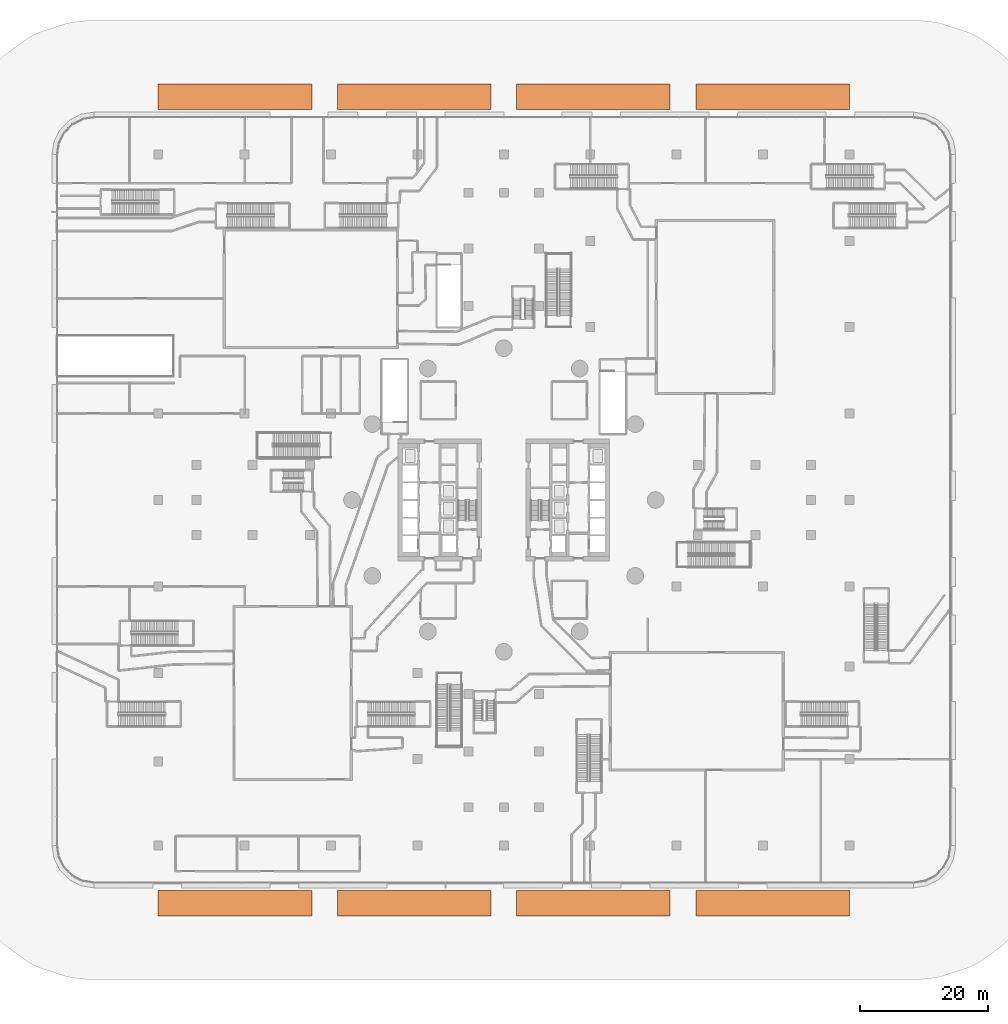
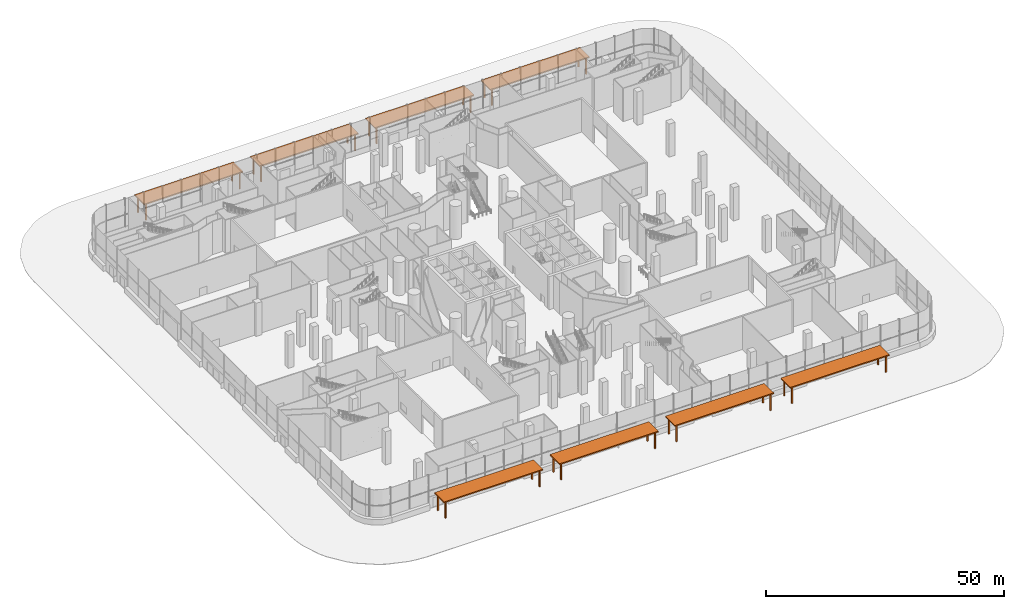
# One storey, part 54 of 54: 8 proxies.
"""IFC4 building model written with IfcOpenShell, lengths in metres."""

import ifcopenshell
import ifcopenshell.guid

model = None  # the IFC model being written
_history = None  # IfcOwnerHistory: only IFC2X3 demands one
_inside = {}  # id of a spatial element -> (the spatial element, [elements in it])
_under = {}  # id of a project, library or spatial element -> (it, [spatial elements below it])
_declared = {}  # id of a project -> (the project, [libraries it declares])
_typed = {}  # id of a type object -> (the type object, [elements of that type])
_made_of = {}  # id of a material, layer set ... -> (it, [elements and type objects made of it])


def new_model(schema):
    """Start an empty IFC model of exactly this schema.

    Asked for "IFC4X3", IfcOpenShell would pick the latest addendum, in which some entities
    have other attributes; the version numbers below select the first issue.
    IFC2X3 requires an IfcOwnerHistory on every rooted entity: one is made here for all.
    """
    global model, _history
    if schema == "IFC4X3":
        model = ifcopenshell.file(schema_version=(4, 3, 0, 0))
    else:
        model = ifcopenshell.file(schema=schema)
    _inside.clear()
    _under.clear()
    _declared.clear()
    _typed.clear()
    _made_of.clear()
    _history = None
    if model.schema == "IFC2X3":
        org = make("IfcOrganization", Name="unknown")
        user = make(
            "IfcPersonAndOrganization",
            ThePerson=make("IfcPerson", FamilyName="unknown"),
            TheOrganization=org,
        )
        app = make(
            "IfcApplication",
            ApplicationDeveloper=org,
            Version="unknown",
            ApplicationFullName="unknown",
            ApplicationIdentifier="unknown",
        )
        _history = make(
            "IfcOwnerHistory",
            OwningUser=user,
            OwningApplication=app,
            ChangeAction="ADDED",
            CreationDate=0,
        )
    return model


def make(cls, **values):
    """One entity of the class cls with the attributes given. An attribute that is None is left unset."""
    return model.create_entity(
        cls, **{name: value for name, value in values.items() if value is not None}
    )


def rooted(cls, **values):
    """An entity with a GlobalId (a new one), such as an element, a storey or a relation."""
    return make(cls, GlobalId=ifcopenshell.guid.new(), OwnerHistory=_history, **values)


def si_unit(unit_type, name, prefix=None):
    """IfcSIUnit, for example si_unit("LENGTHUNIT", "METRE", prefix="MILLI")."""
    return make("IfcSIUnit", UnitType=unit_type, Prefix=prefix, Name=name)


def assignment(units):
    """IfcUnitAssignment: the units of a project."""
    return None if units is None else make("IfcUnitAssignment", Units=units)


def point(xyz):
    """IfcCartesianPoint."""
    return None if xyz is None else make("IfcCartesianPoint", Coordinates=xyz)


def direction(xyz):
    """IfcDirection."""
    return None if xyz is None else make("IfcDirection", DirectionRatios=xyz)


def frame(location, z_axis=None, x_axis=None):
    """IfcAxis2Placement3D, a coordinate frame: its origin and axes. An axis left out is left unset."""
    return make(
        "IfcAxis2Placement3D",
        Location=point(location),
        Axis=direction(z_axis),
        RefDirection=direction(x_axis),
    )


def frame_2d(location, x_axis=None):
    """IfcAxis2Placement2D, a coordinate frame in the plane: its origin and x axis."""
    return make(
        "IfcAxis2Placement2D", Location=point(location), RefDirection=direction(x_axis)
    )


def origin():
    """The frame at (0, 0, 0) with its axes left unset."""
    return frame((0.0, 0.0, 0.0))


def origin_2d():
    """The frame at (0, 0) in the plane with its x axis left unset."""
    return frame_2d((0.0, 0.0))


def place(relative_to, where):
    """IfcLocalPlacement: puts the frame where relative to a parent placement (None: the world)."""
    return make(
        "IfcLocalPlacement", PlacementRelTo=relative_to, RelativePlacement=where
    )


def context(
    kind, dimensions, precision=None, world=None, true_north=None, identifier=None
):
    """IfcGeometricRepresentationContext, for example the 3D "Model" context."""
    return make(
        "IfcGeometricRepresentationContext",
        ContextIdentifier=identifier,
        ContextType=kind,
        CoordinateSpaceDimension=dimensions,
        Precision=precision,
        WorldCoordinateSystem=world,
        TrueNorth=true_north,
    )


def subcontext(parent, identifier, kind, view, scale=None):
    """IfcGeometricRepresentationSubContext, for example "Body" below "Model"."""
    return make(
        "IfcGeometricRepresentationSubContext",
        ContextIdentifier=identifier,
        ContextType=kind,
        ParentContext=parent,
        TargetScale=scale,
        TargetView=view,
    )


def project(units=None, contexts=None):
    """IfcProject with its units and contexts."""
    return rooted(
        "IfcProject",
        Name="project",
        RepresentationContexts=contexts,
        UnitsInContext=assignment(units),
    )


def spatial(cls, under=None, at=None, **own):
    """A site, building, storey or space (cls), placed at a placement, below another one or the project."""
    s = rooted(cls, ObjectPlacement=at, **own)
    if under is not None:
        _under.setdefault(under.id(), (under, []))[1].append(s)
    return s


def profile(cls, at=None, kind="AREA", **sizes):
    """A parametric profile (cls). Its sizes go by their IFC names, for example OverallWidth=200.0."""
    return make(cls, ProfileType=kind, Position=at, **sizes)


def rectangle(**sizes):
    """IfcRectangleProfileDef."""
    return profile("IfcRectangleProfileDef", **sizes)


def extrude(swept, where, along, depth):
    """IfcExtrudedAreaSolid: the profile swept, set in the frame where, extruded along a direction by depth."""
    return make(
        "IfcExtrudedAreaSolid",
        SweptArea=swept,
        Position=where,
        ExtrudedDirection=direction(along),
        Depth=depth,
    )


def shape(context_of_items, identifier, shape_type, items):
    """IfcShapeRepresentation: the items that make up one representation, for example the "Body"."""
    return make(
        "IfcShapeRepresentation",
        ContextOfItems=context_of_items,
        RepresentationIdentifier=identifier,
        RepresentationType=shape_type,
        Items=items,
    )


def material(Name=None, Category=None):
    """IfcMaterial."""
    return make("IfcMaterial", Name=Name, Category=Category)


def layer(
    of_material, thickness, ventilated=None, Name=None, Category=None, Priority=None
):
    """IfcMaterialLayer: one layer of a wall or slab, of a material (None: an air gap)."""
    return make(
        "IfcMaterialLayer",
        Material=of_material,
        LayerThickness=thickness,
        IsVentilated=ventilated,
        Name=Name,
        Category=Category,
        Priority=Priority,
    )


def layer_set(layers, Name=None):
    """IfcMaterialLayerSet."""
    return make("IfcMaterialLayerSet", MaterialLayers=layers, LayerSetName=Name)


def made_of(thing, what):
    """Note that an element or type object is made of a material, layer set ...; save() writes the relation."""
    if what is not None:
        _made_of.setdefault(what.id(), (what, []))[1].append(thing)
    return thing


def type_object(cls, material=None, **own):
    """A type object (cls), such as IfcWallType, which elements share."""
    return made_of(rooted(cls, **own), material)


def element(
    cls,
    number,
    at=None,
    inside=None,
    cuts=None,
    type_object=None,
    material=None,
    context=None,
    identifier="Body",
    shape_type=None,
    held_by="IfcProductDefinitionShape",
    body=None,
    shapes=None,
    **own,
):
    """One element of the class cls, such as IfcWall. Its Tag is "e" and its number.

    at: its placement. inside: the storey or other place that contains it. cuts: it is an
    opening in that element (IfcRelVoidsElement). A single representation is given by context,
    identifier, shape_type and body (its items); several are given by shapes. held_by: the class
    of the entity that holds the representations. save() writes the other relations.
    """
    e = rooted(cls, Tag="e%d" % number, ObjectPlacement=at, **own)
    if body is not None:
        shapes = [shape(context, identifier, shape_type, body)]
    if shapes is not None:
        e.Representation = make(held_by, Representations=shapes)
    if inside is not None:
        _inside.setdefault(inside.id(), (inside, []))[1].append(e)
    if cuts is not None:
        rooted(
            "IfcRelVoidsElement", RelatingBuildingElement=cuts, RelatedOpeningElement=e
        )
    if type_object is not None:
        _typed.setdefault(type_object.id(), (type_object, []))[1].append(e)
    return made_of(e, material)


def aggregate(whole, parts):
    """IfcRelAggregates: a whole, such as a stair, and the parts it consists of."""
    return rooted("IfcRelAggregates", RelatingObject=whole, RelatedObjects=parts)


def save(model, path):
    """Write the relations noted so far, then the file.

    IfcRelAggregates (storeys below a building ...), IfcRelContainedInSpatialStructure (elements
    in a storey), IfcRelDefinesByType, IfcRelAssociatesMaterial and IfcRelDeclares: one each for
    every whole, place, type object, material and project.
    """
    for whole, parts in _under.values():
        aggregate(whole, parts)
    for where, things in _inside.values():
        rooted(
            "IfcRelContainedInSpatialStructure",
            RelatedElements=things,
            RelatingStructure=where,
        )
    for kind, things in _typed.values():
        rooted("IfcRelDefinesByType", RelatedObjects=things, RelatingType=kind)
    for what, things in _made_of.values():
        rooted("IfcRelAssociatesMaterial", RelatedObjects=things, RelatingMaterial=what)
    for by, libraries in _declared.values():
        rooted("IfcRelDeclares", RelatingContext=by, RelatedDefinitions=libraries)
    model.write(path)


model = new_model("IFC4")

# Units and contexts
model_context = context("Model", 3, precision=1e-05, world=origin(), true_north=direction((0.0, 1.0)))
body_context = subcontext(model_context, "Body", "Model", "MODEL_VIEW")
ifc_project = project(units=[si_unit("LENGTHUNIT", "METRE"), si_unit("AREAUNIT", "SQUARE_METRE"), si_unit("VOLUMEUNIT", "CUBIC_METRE"), si_unit("PLANEANGLEUNIT", "RADIAN"), si_unit("MASSUNIT", "GRAM", prefix="KILO")], contexts=[model_context])

# Site, building, storey
site_placement = place(None, origin())
site = spatial("IfcSite", under=ifc_project, at=site_placement, CompositionType="ELEMENT")
building_placement = place(site_placement, origin())
building = spatial("IfcBuilding", under=site, at=building_placement, Name="Tamarind Cross Interchange Tower", CompositionType="ELEMENT")
storey_placement = place(building_placement, origin())
storey = spatial("IfcBuildingStorey", under=building, at=storey_placement, Name="L00", CompositionType="ELEMENT", Elevation=0.0)

# Proxies
ifc_material = material(Name="Steel Q355B and laminated glass", Category="steel")
ifc_layer = layer(ifc_material, 0.300048828125)
ifc_layer_set = layer_set([ifc_layer], Name="Steel Q355B and laminated glass")
building_element_proxy_type = type_object("IfcBuildingElementProxyType", Name="Bus bay canopy", PredefinedType="USERDEFINED", material=ifc_layer_set)
proxy_1_placement = place(storey_placement, origin())
element("IfcBuildingElementProxy", 1, at=proxy_1_placement, inside=storey, type_object=building_element_proxy_type, Name="CNP-L00-00", ObjectType="CANOPY", PredefinedType="USERDEFINED", context=body_context, shape_type="SweptSolid", body=[
    extrude(rectangle(XDim=24.0, YDim=4.0, at=origin_2d()), frame((-42.0, 63.0, 4.2001953125), z_axis=(0.0, 0.0, 1.0), x_axis=(1.0, 0.0, 0.0)), (0.0, 0.0, 1.0), 0.300048828125),
    extrude(rectangle(XDim=0.300048828125, YDim=0.300048828125, at=origin_2d()), frame((-53.39990234375, 61.39990234375, 0.0), z_axis=(0.0, 0.0, 1.0), x_axis=(1.0, 0.0, 0.0)), (0.0, 0.0, 1.0), 4.199951171875),
    extrude(rectangle(XDim=0.300048828125, YDim=0.300048828125, at=origin_2d()), frame((-53.39990234375, 64.60009765625, 0.0), z_axis=(0.0, 0.0, 1.0), x_axis=(1.0, 0.0, 0.0)), (0.0, 0.0, 1.0), 4.199951171875),
    extrude(rectangle(XDim=0.300048828125, YDim=0.300048828125, at=origin_2d()), frame((-30.60009765625, 61.39990234375, 0.0), z_axis=(0.0, 0.0, 1.0), x_axis=(1.0, 0.0, 0.0)), (0.0, 0.0, 1.0), 4.199951171875),
    extrude(rectangle(XDim=0.300048828125, YDim=0.300048828125, at=origin_2d()), frame((-30.60009765625, 64.60009765625, 0.0), z_axis=(0.0, 0.0, 1.0), x_axis=(1.0, 0.0, 0.0)), (0.0, 0.0, 1.0), 4.199951171875),
])
proxy_2_placement = place(storey_placement, origin())
element("IfcBuildingElementProxy", 2, at=proxy_2_placement, inside=storey, type_object=building_element_proxy_type, Name="CNP-L00-01", ObjectType="CANOPY", PredefinedType="USERDEFINED", context=body_context, shape_type="SweptSolid", body=[
    extrude(rectangle(XDim=24.0, YDim=4.0, at=origin_2d()), frame((-14.0, 63.0, 4.2001953125), z_axis=(0.0, 0.0, 1.0), x_axis=(1.0, 0.0, 0.0)), (0.0, 0.0, 1.0), 0.300048828125),
    extrude(rectangle(XDim=0.300048828125, YDim=0.300048828125, at=origin_2d()), frame((-25.39990234375, 61.39990234375, 0.0), z_axis=(0.0, 0.0, 1.0), x_axis=(1.0, 0.0, 0.0)), (0.0, 0.0, 1.0), 4.199951171875),
    extrude(rectangle(XDim=0.300048828125, YDim=0.300048828125, at=origin_2d()), frame((-25.39990234375, 64.60009765625, 0.0), z_axis=(0.0, 0.0, 1.0), x_axis=(1.0, 0.0, 0.0)), (0.0, 0.0, 1.0), 4.199951171875),
    extrude(rectangle(XDim=0.300048828125, YDim=0.300048828125, at=origin_2d()), frame((-2.60009765625, 61.39990234375, 0.0), z_axis=(0.0, 0.0, 1.0), x_axis=(1.0, 0.0, 0.0)), (0.0, 0.0, 1.0), 4.199951171875),
    extrude(rectangle(XDim=0.300048828125, YDim=0.300048828125, at=origin_2d()), frame((-2.60009765625, 64.60009765625, 0.0), z_axis=(0.0, 0.0, 1.0), x_axis=(1.0, 0.0, 0.0)), (0.0, 0.0, 1.0), 4.199951171875),
])
proxy_3_placement = place(storey_placement, origin())
element("IfcBuildingElementProxy", 3, at=proxy_3_placement, inside=storey, type_object=building_element_proxy_type, Name="CNP-L00-02", ObjectType="CANOPY", PredefinedType="USERDEFINED", context=body_context, shape_type="SweptSolid", body=[
    extrude(rectangle(XDim=24.0, YDim=4.0, at=origin_2d()), frame((14.0, 63.0, 4.2001953125), z_axis=(0.0, 0.0, 1.0), x_axis=(1.0, 0.0, 0.0)), (0.0, 0.0, 1.0), 0.300048828125),
    extrude(rectangle(XDim=0.300048828125, YDim=0.300048828125, at=origin_2d()), frame((2.60009765625, 61.39990234375, 0.0), z_axis=(0.0, 0.0, 1.0), x_axis=(1.0, 0.0, 0.0)), (0.0, 0.0, 1.0), 4.199951171875),
    extrude(rectangle(XDim=0.300048828125, YDim=0.300048828125, at=origin_2d()), frame((2.60009765625, 64.60009765625, 0.0), z_axis=(0.0, 0.0, 1.0), x_axis=(1.0, 0.0, 0.0)), (0.0, 0.0, 1.0), 4.199951171875),
    extrude(rectangle(XDim=0.300048828125, YDim=0.300048828125, at=origin_2d()), frame((25.39990234375, 61.39990234375, 0.0), z_axis=(0.0, 0.0, 1.0), x_axis=(1.0, 0.0, 0.0)), (0.0, 0.0, 1.0), 4.199951171875),
    extrude(rectangle(XDim=0.300048828125, YDim=0.300048828125, at=origin_2d()), frame((25.39990234375, 64.60009765625, 0.0), z_axis=(0.0, 0.0, 1.0), x_axis=(1.0, 0.0, 0.0)), (0.0, 0.0, 1.0), 4.199951171875),
])
proxy_4_placement = place(storey_placement, origin())
element("IfcBuildingElementProxy", 4, at=proxy_4_placement, inside=storey, type_object=building_element_proxy_type, Name="CNP-L00-03", ObjectType="CANOPY", PredefinedType="USERDEFINED", context=body_context, shape_type="SweptSolid", body=[
    extrude(rectangle(XDim=24.0, YDim=4.0, at=origin_2d()), frame((42.0, 63.0, 4.2001953125), z_axis=(0.0, 0.0, 1.0), x_axis=(1.0, 0.0, 0.0)), (0.0, 0.0, 1.0), 0.300048828125),
    extrude(rectangle(XDim=0.300048828125, YDim=0.300048828125, at=origin_2d()), frame((30.60009765625, 61.39990234375, 0.0), z_axis=(0.0, 0.0, 1.0), x_axis=(1.0, 0.0, 0.0)), (0.0, 0.0, 1.0), 4.199951171875),
    extrude(rectangle(XDim=0.300048828125, YDim=0.300048828125, at=origin_2d()), frame((30.60009765625, 64.60009765625, 0.0), z_axis=(0.0, 0.0, 1.0), x_axis=(1.0, 0.0, 0.0)), (0.0, 0.0, 1.0), 4.199951171875),
    extrude(rectangle(XDim=0.300048828125, YDim=0.300048828125, at=origin_2d()), frame((53.39990234375, 61.39990234375, 0.0), z_axis=(0.0, 0.0, 1.0), x_axis=(1.0, 0.0, 0.0)), (0.0, 0.0, 1.0), 4.199951171875),
    extrude(rectangle(XDim=0.300048828125, YDim=0.300048828125, at=origin_2d()), frame((53.39990234375, 64.60009765625, 0.0), z_axis=(0.0, 0.0, 1.0), x_axis=(1.0, 0.0, 0.0)), (0.0, 0.0, 1.0), 4.199951171875),
])
proxy_5_placement = place(storey_placement, origin())
element("IfcBuildingElementProxy", 5, at=proxy_5_placement, inside=storey, type_object=building_element_proxy_type, Name="CNP-L00-04", ObjectType="CANOPY", PredefinedType="USERDEFINED", context=body_context, shape_type="SweptSolid", body=[
    extrude(rectangle(XDim=24.0, YDim=4.0, at=origin_2d()), frame((-42.0, -63.0, 4.2001953125), z_axis=(0.0, 0.0, 1.0), x_axis=(1.0, 0.0, 0.0)), (0.0, 0.0, 1.0), 0.300048828125),
    extrude(rectangle(XDim=0.300048828125, YDim=0.300048828125, at=origin_2d()), frame((-53.39990234375, -64.60009765625, 0.0), z_axis=(0.0, 0.0, 1.0), x_axis=(1.0, 0.0, 0.0)), (0.0, 0.0, 1.0), 4.199951171875),
    extrude(rectangle(XDim=0.300048828125, YDim=0.300048828125, at=origin_2d()), frame((-53.39990234375, -61.39990234375, 0.0), z_axis=(0.0, 0.0, 1.0), x_axis=(1.0, 0.0, 0.0)), (0.0, 0.0, 1.0), 4.199951171875),
    extrude(rectangle(XDim=0.300048828125, YDim=0.300048828125, at=origin_2d()), frame((-30.60009765625, -64.60009765625, 0.0), z_axis=(0.0, 0.0, 1.0), x_axis=(1.0, 0.0, 0.0)), (0.0, 0.0, 1.0), 4.199951171875),
    extrude(rectangle(XDim=0.300048828125, YDim=0.300048828125, at=origin_2d()), frame((-30.60009765625, -61.39990234375, 0.0), z_axis=(0.0, 0.0, 1.0), x_axis=(1.0, 0.0, 0.0)), (0.0, 0.0, 1.0), 4.199951171875),
])
proxy_6_placement = place(storey_placement, origin())
element("IfcBuildingElementProxy", 6, at=proxy_6_placement, inside=storey, type_object=building_element_proxy_type, Name="CNP-L00-05", ObjectType="CANOPY", PredefinedType="USERDEFINED", context=body_context, shape_type="SweptSolid", body=[
    extrude(rectangle(XDim=24.0, YDim=4.0, at=origin_2d()), frame((-14.0, -63.0, 4.2001953125), z_axis=(0.0, 0.0, 1.0), x_axis=(1.0, 0.0, 0.0)), (0.0, 0.0, 1.0), 0.300048828125),
    extrude(rectangle(XDim=0.300048828125, YDim=0.300048828125, at=origin_2d()), frame((-25.39990234375, -64.60009765625, 0.0), z_axis=(0.0, 0.0, 1.0), x_axis=(1.0, 0.0, 0.0)), (0.0, 0.0, 1.0), 4.199951171875),
    extrude(rectangle(XDim=0.300048828125, YDim=0.300048828125, at=origin_2d()), frame((-25.39990234375, -61.39990234375, 0.0), z_axis=(0.0, 0.0, 1.0), x_axis=(1.0, 0.0, 0.0)), (0.0, 0.0, 1.0), 4.199951171875),
    extrude(rectangle(XDim=0.300048828125, YDim=0.300048828125, at=origin_2d()), frame((-2.60009765625, -64.60009765625, 0.0), z_axis=(0.0, 0.0, 1.0), x_axis=(1.0, 0.0, 0.0)), (0.0, 0.0, 1.0), 4.199951171875),
    extrude(rectangle(XDim=0.300048828125, YDim=0.300048828125, at=origin_2d()), frame((-2.60009765625, -61.39990234375, 0.0), z_axis=(0.0, 0.0, 1.0), x_axis=(1.0, 0.0, 0.0)), (0.0, 0.0, 1.0), 4.199951171875),
])
proxy_7_placement = place(storey_placement, origin())
element("IfcBuildingElementProxy", 7, at=proxy_7_placement, inside=storey, type_object=building_element_proxy_type, Name="CNP-L00-06", ObjectType="CANOPY", PredefinedType="USERDEFINED", context=body_context, shape_type="SweptSolid", body=[
    extrude(rectangle(XDim=24.0, YDim=4.0, at=origin_2d()), frame((14.0, -63.0, 4.2001953125), z_axis=(0.0, 0.0, 1.0), x_axis=(1.0, 0.0, 0.0)), (0.0, 0.0, 1.0), 0.300048828125),
    extrude(rectangle(XDim=0.300048828125, YDim=0.300048828125, at=origin_2d()), frame((2.60009765625, -64.60009765625, 0.0), z_axis=(0.0, 0.0, 1.0), x_axis=(1.0, 0.0, 0.0)), (0.0, 0.0, 1.0), 4.199951171875),
    extrude(rectangle(XDim=0.300048828125, YDim=0.300048828125, at=origin_2d()), frame((2.60009765625, -61.39990234375, 0.0), z_axis=(0.0, 0.0, 1.0), x_axis=(1.0, 0.0, 0.0)), (0.0, 0.0, 1.0), 4.199951171875),
    extrude(rectangle(XDim=0.300048828125, YDim=0.300048828125, at=origin_2d()), frame((25.39990234375, -64.60009765625, 0.0), z_axis=(0.0, 0.0, 1.0), x_axis=(1.0, 0.0, 0.0)), (0.0, 0.0, 1.0), 4.199951171875),
    extrude(rectangle(XDim=0.300048828125, YDim=0.300048828125, at=origin_2d()), frame((25.39990234375, -61.39990234375, 0.0), z_axis=(0.0, 0.0, 1.0), x_axis=(1.0, 0.0, 0.0)), (0.0, 0.0, 1.0), 4.199951171875),
])
proxy_8_placement = place(storey_placement, origin())
element("IfcBuildingElementProxy", 8, at=proxy_8_placement, inside=storey, type_object=building_element_proxy_type, Name="CNP-L00-07", ObjectType="CANOPY", PredefinedType="USERDEFINED", context=body_context, shape_type="SweptSolid", body=[
    extrude(rectangle(XDim=24.0, YDim=4.0, at=origin_2d()), frame((42.0, -63.0, 4.2001953125), z_axis=(0.0, 0.0, 1.0), x_axis=(1.0, 0.0, 0.0)), (0.0, 0.0, 1.0), 0.300048828125),
    extrude(rectangle(XDim=0.300048828125, YDim=0.300048828125, at=origin_2d()), frame((30.60009765625, -64.60009765625, 0.0), z_axis=(0.0, 0.0, 1.0), x_axis=(1.0, 0.0, 0.0)), (0.0, 0.0, 1.0), 4.199951171875),
    extrude(rectangle(XDim=0.300048828125, YDim=0.300048828125, at=origin_2d()), frame((30.60009765625, -61.39990234375, 0.0), z_axis=(0.0, 0.0, 1.0), x_axis=(1.0, 0.0, 0.0)), (0.0, 0.0, 1.0), 4.199951171875),
    extrude(rectangle(XDim=0.300048828125, YDim=0.300048828125, at=origin_2d()), frame((53.39990234375, -64.60009765625, 0.0), z_axis=(0.0, 0.0, 1.0), x_axis=(1.0, 0.0, 0.0)), (0.0, 0.0, 1.0), 4.199951171875),
    extrude(rectangle(XDim=0.300048828125, YDim=0.300048828125, at=origin_2d()), frame((53.39990234375, -61.39990234375, 0.0), z_axis=(0.0, 0.0, 1.0), x_axis=(1.0, 0.0, 0.0)), (0.0, 0.0, 1.0), 4.199951171875),
])

save(model, "model.ifc")
